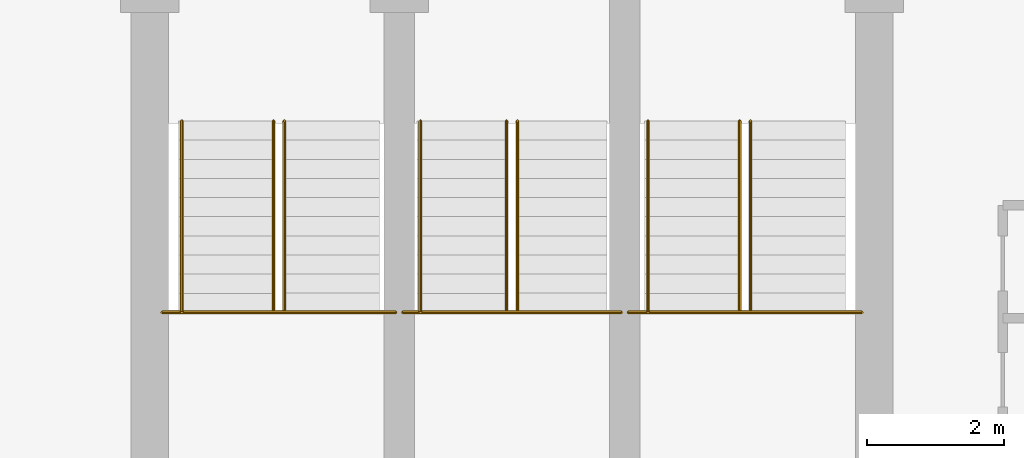
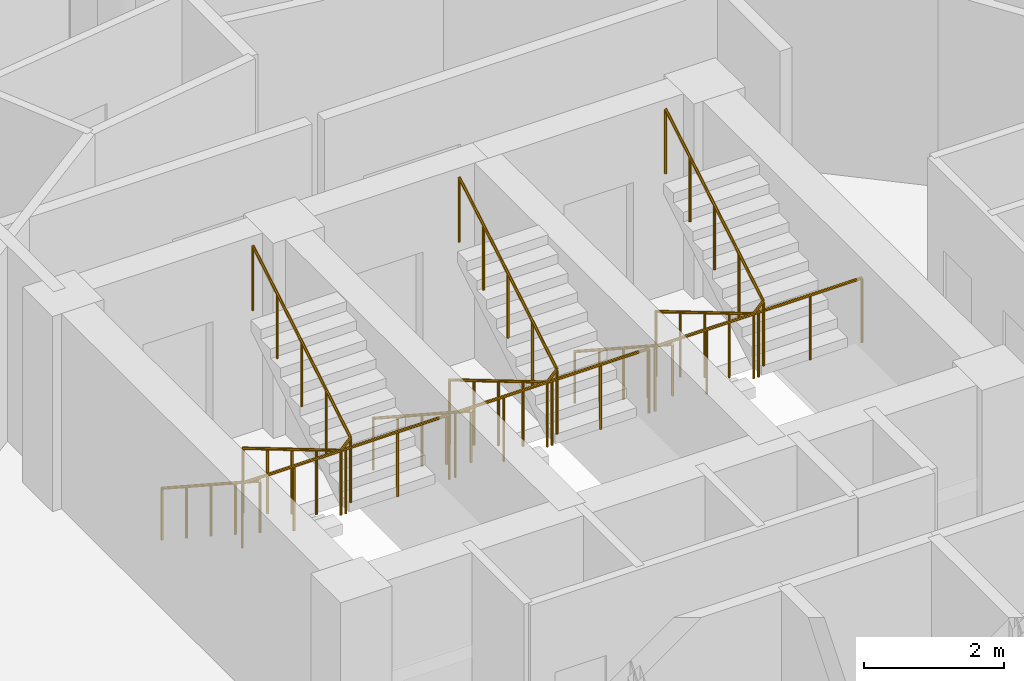
# One storey, part 27 of 27: 9 railings.
"""IFC4 building model written with IfcOpenShell, lengths in metres."""

from ifc_helpers import new_model, si_unit, direction, frame, origin, place, context, subcontext, project, spatial, polyline, outline, extrude, material, type_object, element, save


model = new_model("IFC4")

# Units and contexts
model_context = context("Model", 3, precision=1e-05, world=origin(), true_north=direction((0.0, 1.0)))
body_context = subcontext(model_context, "Body", "Model", "MODEL_VIEW")
ifc_project = project(units=[si_unit("LENGTHUNIT", "METRE"), si_unit("AREAUNIT", "SQUARE_METRE"), si_unit("VOLUMEUNIT", "CUBIC_METRE"), si_unit("PLANEANGLEUNIT", "RADIAN"), si_unit("MASSUNIT", "GRAM", prefix="KILO")], contexts=[model_context])

# Site, building, storey
site_placement = place(None, origin())
site = spatial("IfcSite", under=ifc_project, at=site_placement, CompositionType="ELEMENT")
building_placement = place(site_placement, origin())
building = spatial("IfcBuilding", under=site, at=building_placement, Name="Nuhasar Tower", CompositionType="ELEMENT")
storey_placement = place(building_placement, frame((0.0, 0.0, 237.35009765625)))
storey = spatial("IfcBuildingStorey", under=building, at=storey_placement, Name="L58", CompositionType="ELEMENT", Elevation=237.35009765625)

# Railings
ifc_material_1 = material(Name="Steel S355", Category="steel")
railing_type_1 = type_object("IfcRailingType", Name="RLG-STAIR-GUARD-1150", PredefinedType="GUARDRAIL", material=ifc_material_1)
railing_1_placement = place(storey_placement, frame((33.8798828125, 32.485107421875, 1.824951171875)))
element("IfcRailing", 1, at=railing_1_placement, inside=storey, type_object=railing_type_1, Name="L58 Stair ST-01 Guardrail LND", PredefinedType="GUARDRAIL", context=body_context, shape_type="SweptSolid", body=[
    extrude(outline(polyline([(0.024169921875, 0.0), (0.01708984375, 0.01708984375), (0.0, 0.024169921875), (-0.01708984375, 0.01708984375), (-0.024169921875, 0.0), (-0.01708984375, -0.01708984375), (0.0, -0.024169921875), (0.01708984375, -0.01708984375), (0.024169921875, 0.0)])), frame((0.0, 0.0, 1.1259765625), z_axis=(1.0, 0.0, 0.0), x_axis=(0.0, 1.0, 0.0)), (0.0, 0.0, 1.0), 3.420166015625),
    extrude(outline(polyline([(0.02099609375, 0.0), (0.014892578125, 0.014892578125), (0.0, 0.02099609375), (-0.014892578125, 0.014892578125), (-0.02099609375, 0.0), (-0.014892578125, -0.014892578125), (0.0, -0.02099609375), (0.014892578125, -0.014892578125), (0.02099609375, 0.0)])), origin(), (0.0, 0.0, 1.0), 1.101806640625),
    extrude(outline(polyline([(0.02099609375, 0.0), (0.014892578125, 0.014892578125), (0.0, 0.02099609375), (-0.014892578125, 0.014892578125), (-0.02099609375, 0.0), (-0.014892578125, -0.014892578125), (0.0, -0.02099609375), (0.014892578125, -0.014892578125), (0.02099609375, 0.0)])), frame((0.85498046875, 0.0, 0.0)), (0.0, 0.0, 1.0), 1.101806640625),
    extrude(outline(polyline([(0.02099609375, 0.0), (0.014892578125, 0.014892578125), (0.0, 0.02099609375), (-0.014892578125, 0.014892578125), (-0.02099609375, 0.0), (-0.014892578125, -0.014892578125), (0.0, -0.02099609375), (0.014892578125, -0.014892578125), (0.02099609375, 0.0)])), frame((1.7099609375, 0.0, 0.0)), (0.0, 0.0, 1.0), 1.101806640625),
    extrude(outline(polyline([(0.02099609375, 0.0), (0.014892578125, 0.014892578125), (0.0, 0.02099609375), (-0.014892578125, 0.014892578125), (-0.02099609375, 0.0), (-0.014892578125, -0.014892578125), (0.0, -0.02099609375), (0.014892578125, -0.014892578125), (0.02099609375, 0.0)])), frame((2.565185546875, 0.0, 0.0)), (0.0, 0.0, 1.0), 1.101806640625),
    extrude(outline(polyline([(0.02099609375, 0.0), (0.014892578125, 0.014892578125), (0.0, 0.02099609375), (-0.014892578125, 0.014892578125), (-0.02099609375, 0.0), (-0.014892578125, -0.014892578125), (0.0, -0.02099609375), (0.014892578125, -0.014892578125), (0.02099609375, 0.0)])), frame((3.420166015625, 0.0, 0.0)), (0.0, 0.0, 1.0), 1.101806640625),
])
railing_2_placement = place(storey_placement, frame((35.510009765625, 35.284912109375, 0.166015625)))
element("IfcRailing", 2, at=railing_2_placement, inside=storey, type_object=railing_type_1, Name="L58 Stair ST-01 Guardrail SLT", PredefinedType="GUARDRAIL", context=body_context, shape_type="SweptSolid", body=[
    extrude(outline(polyline([(0.024169921875, 0.0), (0.01708984375, 0.01708984375), (0.0, 0.024169921875), (-0.01708984375, 0.01708984375), (-0.024169921875, 0.0), (-0.01708984375, -0.01708984375), (0.0, -0.024169921875), (0.01708984375, -0.01708984375), (0.024169921875, 0.0)])), frame((0.0, 0.0, 1.1259765625), z_axis=(0.0, -0.860319559791, 0.509755093197), x_axis=(1.0, 0.0, 0.0)), (0.0, 0.0, 1.0), 3.25439453125),
    extrude(outline(polyline([(0.024169921875, 0.0), (0.01708984375, 0.01708984375), (0.0, 0.024169921875), (-0.01708984375, 0.01708984375), (-0.024169921875, 0.0), (-0.01708984375, -0.01708984375), (0.0, -0.024169921875), (0.01708984375, -0.01708984375), (0.024169921875, 0.0)])), frame((0.0, -2.7998046875, 2.78466796875), z_axis=(0.693743449033, 0.0, 0.72022220663), x_axis=(0.0, 1.0, 0.0)), (0.0, 0.0, 1.0), 0.23046875),
    extrude(outline(polyline([(0.024169921875, 0.0), (0.01708984375, 0.01708984375), (0.0, 0.024169921875), (-0.01708984375, 0.01708984375), (-0.024169921875, 0.0), (-0.01708984375, -0.01708984375), (0.0, -0.024169921875), (0.01708984375, -0.01708984375), (0.024169921875, 0.0)])), frame((0.159912109375, -2.7998046875, 2.95068359375), z_axis=(0.0, 0.860319559791, 0.509755093197), x_axis=(-1.0, 0.0, 0.0)), (0.0, 0.0, 1.0), 3.25439453125),
    extrude(outline(polyline([(0.02099609375, 0.0), (0.014892578125, 0.014892578125), (0.0, 0.02099609375), (-0.014892578125, 0.014892578125), (-0.02099609375, 0.0), (-0.014892578125, -0.014892578125), (0.0, -0.02099609375), (0.014892578125, -0.014892578125), (0.02099609375, 0.0)])), origin(), (0.0, 0.0, 1.0), 1.101806640625),
    extrude(outline(polyline([(0.02099609375, 0.0), (0.014892578125, 0.014892578125), (0.0, 0.02099609375), (-0.014892578125, 0.014892578125), (-0.02099609375, 0.0), (-0.014892578125, -0.014892578125), (0.0, -0.02099609375), (0.014892578125, -0.014892578125), (0.02099609375, 0.0)])), frame((0.0, -0.699951171875, 0.414794921875)), (0.0, 0.0, 1.0), 1.101806640625),
    extrude(outline(polyline([(0.02099609375, 0.0), (0.014892578125, 0.014892578125), (0.0, 0.02099609375), (-0.014892578125, 0.014892578125), (-0.02099609375, 0.0), (-0.014892578125, -0.014892578125), (0.0, -0.02099609375), (0.014892578125, -0.014892578125), (0.02099609375, 0.0)])), frame((0.0, -1.39990234375, 0.82958984375)), (0.0, 0.0, 1.0), 1.101806640625),
    extrude(outline(polyline([(0.02099609375, 0.0), (0.014892578125, 0.014892578125), (0.0, 0.02099609375), (-0.014892578125, 0.014892578125), (-0.02099609375, 0.0), (-0.014892578125, -0.014892578125), (0.0, -0.02099609375), (0.014892578125, -0.014892578125), (0.02099609375, 0.0)])), frame((0.0, -2.099853515625, 1.244140625)), (0.0, 0.0, 1.0), 1.101806640625),
    extrude(outline(polyline([(0.02099609375, 0.0), (0.014892578125, 0.014892578125), (0.0, 0.02099609375), (-0.014892578125, 0.014892578125), (-0.02099609375, 0.0), (-0.014892578125, -0.014892578125), (0.0, -0.02099609375), (0.014892578125, -0.014892578125), (0.02099609375, 0.0)])), frame((0.0, -2.7998046875, 1.658935546875)), (0.0, 0.0, 1.0), 1.101806640625),
    extrude(outline(polyline([(0.02099609375, 0.0), (0.014892578125, 0.014892578125), (0.0, 0.02099609375), (-0.014892578125, 0.014892578125), (-0.02099609375, 0.0), (-0.014892578125, -0.014892578125), (0.0, -0.02099609375), (0.014892578125, -0.014892578125), (0.02099609375, 0.0)])), frame((0.159912109375, -2.7998046875, 1.824951171875)), (0.0, 0.0, 1.0), 1.101806640625),
    extrude(outline(polyline([(0.02099609375, 0.0), (0.014892578125, 0.014892578125), (0.0, 0.02099609375), (-0.014892578125, 0.014892578125), (-0.02099609375, 0.0), (-0.014892578125, -0.014892578125), (0.0, -0.02099609375), (0.014892578125, -0.014892578125), (0.02099609375, 0.0)])), frame((0.159912109375, -2.099853515625, 2.23974609375)), (0.0, 0.0, 1.0), 1.101806640625),
    extrude(outline(polyline([(0.02099609375, 0.0), (0.014892578125, 0.014892578125), (0.0, 0.02099609375), (-0.014892578125, 0.014892578125), (-0.02099609375, 0.0), (-0.014892578125, -0.014892578125), (0.0, -0.02099609375), (0.014892578125, -0.014892578125), (0.02099609375, 0.0)])), frame((0.159912109375, -1.39990234375, 2.654296875)), (0.0, 0.0, 1.0), 1.101806640625),
    extrude(outline(polyline([(0.02099609375, 0.0), (0.014892578125, 0.014892578125), (0.0, 0.02099609375), (-0.014892578125, 0.014892578125), (-0.02099609375, 0.0), (-0.014892578125, -0.014892578125), (0.0, -0.02099609375), (0.014892578125, -0.014892578125), (0.02099609375, 0.0)])), frame((0.159912109375, -0.699951171875, 3.069091796875)), (0.0, 0.0, 1.0), 1.101806640625),
    extrude(outline(polyline([(0.02099609375, 0.0), (0.014892578125, 0.014892578125), (0.0, 0.02099609375), (-0.014892578125, 0.014892578125), (-0.02099609375, 0.0), (-0.014892578125, -0.014892578125), (0.0, -0.02099609375), (0.014892578125, -0.014892578125), (0.02099609375, 0.0)])), frame((0.159912109375, 0.0, 3.48388671875)), (0.0, 0.0, 1.0), 1.101806640625),
])
railing_3_placement = place(storey_placement, frame((37.39990234375, 32.485107421875, 1.824951171875)))
element("IfcRailing", 3, at=railing_3_placement, inside=storey, type_object=railing_type_1, Name="L58 Stair ST-03 Guardrail LND", PredefinedType="GUARDRAIL", context=body_context, shape_type="SweptSolid", body=[
    extrude(outline(polyline([(0.024169921875, 0.0), (0.01708984375, 0.01708984375), (0.0, 0.024169921875), (-0.01708984375, 0.01708984375), (-0.024169921875, 0.0), (-0.01708984375, -0.01708984375), (0.0, -0.024169921875), (0.01708984375, -0.01708984375), (0.024169921875, 0.0)])), frame((0.0, 0.0, 1.1259765625), z_axis=(1.0, 0.0, 0.0), x_axis=(0.0, 1.0, 0.0)), (0.0, 0.0, 1.0), 3.2001953125),
    extrude(outline(polyline([(0.02099609375, 0.0), (0.014892578125, 0.014892578125), (0.0, 0.02099609375), (-0.014892578125, 0.014892578125), (-0.02099609375, 0.0), (-0.014892578125, -0.014892578125), (0.0, -0.02099609375), (0.014892578125, -0.014892578125), (0.02099609375, 0.0)])), origin(), (0.0, 0.0, 1.0), 1.101806640625),
    extrude(outline(polyline([(0.02099609375, 0.0), (0.014892578125, 0.014892578125), (0.0, 0.02099609375), (-0.014892578125, 0.014892578125), (-0.02099609375, 0.0), (-0.014892578125, -0.014892578125), (0.0, -0.02099609375), (0.014892578125, -0.014892578125), (0.02099609375, 0.0)])), frame((0.800048828125, 0.0, 0.0)), (0.0, 0.0, 1.0), 1.101806640625),
    extrude(outline(polyline([(0.02099609375, 0.0), (0.014892578125, 0.014892578125), (0.0, 0.02099609375), (-0.014892578125, 0.014892578125), (-0.02099609375, 0.0), (-0.014892578125, -0.014892578125), (0.0, -0.02099609375), (0.014892578125, -0.014892578125), (0.02099609375, 0.0)])), frame((1.60009765625, 0.0, 0.0)), (0.0, 0.0, 1.0), 1.101806640625),
    extrude(outline(polyline([(0.02099609375, 0.0), (0.014892578125, 0.014892578125), (0.0, 0.02099609375), (-0.014892578125, 0.014892578125), (-0.02099609375, 0.0), (-0.014892578125, -0.014892578125), (0.0, -0.02099609375), (0.014892578125, -0.014892578125), (0.02099609375, 0.0)])), frame((2.400146484375, 0.0, 0.0)), (0.0, 0.0, 1.0), 1.101806640625),
    extrude(outline(polyline([(0.02099609375, 0.0), (0.014892578125, 0.014892578125), (0.0, 0.02099609375), (-0.014892578125, 0.014892578125), (-0.02099609375, 0.0), (-0.014892578125, -0.014892578125), (0.0, -0.02099609375), (0.014892578125, -0.014892578125), (0.02099609375, 0.0)])), frame((3.2001953125, 0.0, 0.0)), (0.0, 0.0, 1.0), 1.101806640625),
])
railing_4_placement = place(storey_placement, frame((38.919921875, 35.284912109375, 0.166015625)))
element("IfcRailing", 4, at=railing_4_placement, inside=storey, type_object=railing_type_1, Name="L58 Stair ST-03 Guardrail SLT", PredefinedType="GUARDRAIL", context=body_context, shape_type="SweptSolid", body=[
    extrude(outline(polyline([(0.024169921875, 0.0), (0.01708984375, 0.01708984375), (0.0, 0.024169921875), (-0.01708984375, 0.01708984375), (-0.024169921875, 0.0), (-0.01708984375, -0.01708984375), (0.0, -0.024169921875), (0.01708984375, -0.01708984375), (0.024169921875, 0.0)])), frame((0.0, 0.0, 1.1259765625), z_axis=(0.0, -0.860319559791, 0.509755093197), x_axis=(1.0, 0.0, 0.0)), (0.0, 0.0, 1.0), 3.25439453125),
    extrude(outline(polyline([(0.024169921875, 0.0), (0.01708984375, 0.01708984375), (0.0, 0.024169921875), (-0.01708984375, 0.01708984375), (-0.024169921875, 0.0), (-0.01708984375, -0.01708984375), (0.0, -0.024169921875), (0.01708984375, -0.01708984375), (0.024169921875, 0.0)])), frame((0.0, -2.7998046875, 2.78466796875), z_axis=(0.694292246407, 0.0, 0.719693182251), x_axis=(0.0, 1.0, 0.0)), (0.0, 0.0, 1.0), 0.230712890625),
    extrude(outline(polyline([(0.024169921875, 0.0), (0.01708984375, 0.01708984375), (0.0, 0.024169921875), (-0.01708984375, 0.01708984375), (-0.024169921875, 0.0), (-0.01708984375, -0.01708984375), (0.0, -0.024169921875), (0.01708984375, -0.01708984375), (0.024169921875, 0.0)])), frame((0.16015625, -2.7998046875, 2.95068359375), z_axis=(0.0, 0.860319559791, 0.509755093197), x_axis=(-1.0, 0.0, 0.0)), (0.0, 0.0, 1.0), 3.25439453125),
    extrude(outline(polyline([(0.02099609375, 0.0), (0.014892578125, 0.014892578125), (0.0, 0.02099609375), (-0.014892578125, 0.014892578125), (-0.02099609375, 0.0), (-0.014892578125, -0.014892578125), (0.0, -0.02099609375), (0.014892578125, -0.014892578125), (0.02099609375, 0.0)])), origin(), (0.0, 0.0, 1.0), 1.101806640625),
    extrude(outline(polyline([(0.02099609375, 0.0), (0.014892578125, 0.014892578125), (0.0, 0.02099609375), (-0.014892578125, 0.014892578125), (-0.02099609375, 0.0), (-0.014892578125, -0.014892578125), (0.0, -0.02099609375), (0.014892578125, -0.014892578125), (0.02099609375, 0.0)])), frame((0.0, -0.699951171875, 0.414794921875)), (0.0, 0.0, 1.0), 1.101806640625),
    extrude(outline(polyline([(0.02099609375, 0.0), (0.014892578125, 0.014892578125), (0.0, 0.02099609375), (-0.014892578125, 0.014892578125), (-0.02099609375, 0.0), (-0.014892578125, -0.014892578125), (0.0, -0.02099609375), (0.014892578125, -0.014892578125), (0.02099609375, 0.0)])), frame((0.0, -1.39990234375, 0.82958984375)), (0.0, 0.0, 1.0), 1.101806640625),
    extrude(outline(polyline([(0.02099609375, 0.0), (0.014892578125, 0.014892578125), (0.0, 0.02099609375), (-0.014892578125, 0.014892578125), (-0.02099609375, 0.0), (-0.014892578125, -0.014892578125), (0.0, -0.02099609375), (0.014892578125, -0.014892578125), (0.02099609375, 0.0)])), frame((0.0, -2.099853515625, 1.244140625)), (0.0, 0.0, 1.0), 1.101806640625),
    extrude(outline(polyline([(0.02099609375, 0.0), (0.014892578125, 0.014892578125), (0.0, 0.02099609375), (-0.014892578125, 0.014892578125), (-0.02099609375, 0.0), (-0.014892578125, -0.014892578125), (0.0, -0.02099609375), (0.014892578125, -0.014892578125), (0.02099609375, 0.0)])), frame((0.0, -2.7998046875, 1.658935546875)), (0.0, 0.0, 1.0), 1.101806640625),
    extrude(outline(polyline([(0.02099609375, 0.0), (0.014892578125, 0.014892578125), (0.0, 0.02099609375), (-0.014892578125, 0.014892578125), (-0.02099609375, 0.0), (-0.014892578125, -0.014892578125), (0.0, -0.02099609375), (0.014892578125, -0.014892578125), (0.02099609375, 0.0)])), frame((0.16015625, -2.7998046875, 1.824951171875)), (0.0, 0.0, 1.0), 1.101806640625),
    extrude(outline(polyline([(0.02099609375, 0.0), (0.014892578125, 0.014892578125), (0.0, 0.02099609375), (-0.014892578125, 0.014892578125), (-0.02099609375, 0.0), (-0.014892578125, -0.014892578125), (0.0, -0.02099609375), (0.014892578125, -0.014892578125), (0.02099609375, 0.0)])), frame((0.16015625, -2.099853515625, 2.23974609375)), (0.0, 0.0, 1.0), 1.101806640625),
    extrude(outline(polyline([(0.02099609375, 0.0), (0.014892578125, 0.014892578125), (0.0, 0.02099609375), (-0.014892578125, 0.014892578125), (-0.02099609375, 0.0), (-0.014892578125, -0.014892578125), (0.0, -0.02099609375), (0.014892578125, -0.014892578125), (0.02099609375, 0.0)])), frame((0.16015625, -1.39990234375, 2.654296875)), (0.0, 0.0, 1.0), 1.101806640625),
    extrude(outline(polyline([(0.02099609375, 0.0), (0.014892578125, 0.014892578125), (0.0, 0.02099609375), (-0.014892578125, 0.014892578125), (-0.02099609375, 0.0), (-0.014892578125, -0.014892578125), (0.0, -0.02099609375), (0.014892578125, -0.014892578125), (0.02099609375, 0.0)])), frame((0.16015625, -0.699951171875, 3.069091796875)), (0.0, 0.0, 1.0), 1.101806640625),
    extrude(outline(polyline([(0.02099609375, 0.0), (0.014892578125, 0.014892578125), (0.0, 0.02099609375), (-0.014892578125, 0.014892578125), (-0.02099609375, 0.0), (-0.014892578125, -0.014892578125), (0.0, -0.02099609375), (0.014892578125, -0.014892578125), (0.02099609375, 0.0)])), frame((0.16015625, 0.0, 3.48388671875)), (0.0, 0.0, 1.0), 1.101806640625),
])
railing_5_placement = place(storey_placement, frame((40.699951171875, 32.485107421875, 1.824951171875)))
element("IfcRailing", 5, at=railing_5_placement, inside=storey, type_object=railing_type_1, Name="L58 Stair ST-02 Guardrail LND", PredefinedType="GUARDRAIL", context=body_context, shape_type="SweptSolid", body=[
    extrude(outline(polyline([(0.024169921875, 0.0), (0.01708984375, 0.01708984375), (0.0, 0.024169921875), (-0.01708984375, 0.01708984375), (-0.024169921875, 0.0), (-0.01708984375, -0.01708984375), (0.0, -0.024169921875), (0.01708984375, -0.01708984375), (0.024169921875, 0.0)])), frame((0.0, 0.0, 1.1259765625), z_axis=(1.0, 0.0, 0.0), x_axis=(0.0, 1.0, 0.0)), (0.0, 0.0, 1.0), 3.420166015625),
    extrude(outline(polyline([(0.02099609375, 0.0), (0.014892578125, 0.014892578125), (0.0, 0.02099609375), (-0.014892578125, 0.014892578125), (-0.02099609375, 0.0), (-0.014892578125, -0.014892578125), (0.0, -0.02099609375), (0.014892578125, -0.014892578125), (0.02099609375, 0.0)])), origin(), (0.0, 0.0, 1.0), 1.101806640625),
    extrude(outline(polyline([(0.02099609375, 0.0), (0.014892578125, 0.014892578125), (0.0, 0.02099609375), (-0.014892578125, 0.014892578125), (-0.02099609375, 0.0), (-0.014892578125, -0.014892578125), (0.0, -0.02099609375), (0.014892578125, -0.014892578125), (0.02099609375, 0.0)])), frame((0.85498046875, 0.0, 0.0)), (0.0, 0.0, 1.0), 1.101806640625),
    extrude(outline(polyline([(0.02099609375, 0.0), (0.014892578125, 0.014892578125), (0.0, 0.02099609375), (-0.014892578125, 0.014892578125), (-0.02099609375, 0.0), (-0.014892578125, -0.014892578125), (0.0, -0.02099609375), (0.014892578125, -0.014892578125), (0.02099609375, 0.0)])), frame((1.7099609375, 0.0, 0.0)), (0.0, 0.0, 1.0), 1.101806640625),
    extrude(outline(polyline([(0.02099609375, 0.0), (0.014892578125, 0.014892578125), (0.0, 0.02099609375), (-0.014892578125, 0.014892578125), (-0.02099609375, 0.0), (-0.014892578125, -0.014892578125), (0.0, -0.02099609375), (0.014892578125, -0.014892578125), (0.02099609375, 0.0)])), frame((2.565185546875, 0.0, 0.0)), (0.0, 0.0, 1.0), 1.101806640625),
    extrude(outline(polyline([(0.02099609375, 0.0), (0.014892578125, 0.014892578125), (0.0, 0.02099609375), (-0.014892578125, 0.014892578125), (-0.02099609375, 0.0), (-0.014892578125, -0.014892578125), (0.0, -0.02099609375), (0.014892578125, -0.014892578125), (0.02099609375, 0.0)])), frame((3.420166015625, 0.0, 0.0)), (0.0, 0.0, 1.0), 1.101806640625),
])
railing_6_placement = place(storey_placement, frame((42.330078125, 35.284912109375, 0.166015625)))
element("IfcRailing", 6, at=railing_6_placement, inside=storey, type_object=railing_type_1, Name="L58 Stair ST-02 Guardrail SLT", PredefinedType="GUARDRAIL", context=body_context, shape_type="SweptSolid", body=[
    extrude(outline(polyline([(0.024169921875, 0.0), (0.01708984375, 0.01708984375), (0.0, 0.024169921875), (-0.01708984375, 0.01708984375), (-0.024169921875, 0.0), (-0.01708984375, -0.01708984375), (0.0, -0.024169921875), (0.01708984375, -0.01708984375), (0.024169921875, 0.0)])), frame((0.0, 0.0, 1.1259765625), z_axis=(0.0, -0.860319559791, 0.509755093197), x_axis=(1.0, 0.0, 0.0)), (0.0, 0.0, 1.0), 3.25439453125),
    extrude(outline(polyline([(0.024169921875, 0.0), (0.01708984375, 0.01708984375), (0.0, 0.024169921875), (-0.01708984375, 0.01708984375), (-0.024169921875, 0.0), (-0.01708984375, -0.01708984375), (0.0, -0.024169921875), (0.01708984375, -0.01708984375), (0.024169921875, 0.0)])), frame((0.0, -2.7998046875, 2.78466796875), z_axis=(0.693743449033, 0.0, 0.72022220663), x_axis=(0.0, 1.0, 0.0)), (0.0, 0.0, 1.0), 0.23046875),
    extrude(outline(polyline([(0.024169921875, 0.0), (0.01708984375, 0.01708984375), (0.0, 0.024169921875), (-0.01708984375, 0.01708984375), (-0.024169921875, 0.0), (-0.01708984375, -0.01708984375), (0.0, -0.024169921875), (0.01708984375, -0.01708984375), (0.024169921875, 0.0)])), frame((0.159912109375, -2.7998046875, 2.95068359375), z_axis=(0.0, 0.860319559791, 0.509755093197), x_axis=(-1.0, 0.0, 0.0)), (0.0, 0.0, 1.0), 3.25439453125),
    extrude(outline(polyline([(0.02099609375, 0.0), (0.014892578125, 0.014892578125), (0.0, 0.02099609375), (-0.014892578125, 0.014892578125), (-0.02099609375, 0.0), (-0.014892578125, -0.014892578125), (0.0, -0.02099609375), (0.014892578125, -0.014892578125), (0.02099609375, 0.0)])), origin(), (0.0, 0.0, 1.0), 1.101806640625),
    extrude(outline(polyline([(0.02099609375, 0.0), (0.014892578125, 0.014892578125), (0.0, 0.02099609375), (-0.014892578125, 0.014892578125), (-0.02099609375, 0.0), (-0.014892578125, -0.014892578125), (0.0, -0.02099609375), (0.014892578125, -0.014892578125), (0.02099609375, 0.0)])), frame((0.0, -0.699951171875, 0.414794921875)), (0.0, 0.0, 1.0), 1.101806640625),
    extrude(outline(polyline([(0.02099609375, 0.0), (0.014892578125, 0.014892578125), (0.0, 0.02099609375), (-0.014892578125, 0.014892578125), (-0.02099609375, 0.0), (-0.014892578125, -0.014892578125), (0.0, -0.02099609375), (0.014892578125, -0.014892578125), (0.02099609375, 0.0)])), frame((0.0, -1.39990234375, 0.82958984375)), (0.0, 0.0, 1.0), 1.101806640625),
    extrude(outline(polyline([(0.02099609375, 0.0), (0.014892578125, 0.014892578125), (0.0, 0.02099609375), (-0.014892578125, 0.014892578125), (-0.02099609375, 0.0), (-0.014892578125, -0.014892578125), (0.0, -0.02099609375), (0.014892578125, -0.014892578125), (0.02099609375, 0.0)])), frame((0.0, -2.099853515625, 1.244140625)), (0.0, 0.0, 1.0), 1.101806640625),
    extrude(outline(polyline([(0.02099609375, 0.0), (0.014892578125, 0.014892578125), (0.0, 0.02099609375), (-0.014892578125, 0.014892578125), (-0.02099609375, 0.0), (-0.014892578125, -0.014892578125), (0.0, -0.02099609375), (0.014892578125, -0.014892578125), (0.02099609375, 0.0)])), frame((0.0, -2.7998046875, 1.658935546875)), (0.0, 0.0, 1.0), 1.101806640625),
    extrude(outline(polyline([(0.02099609375, 0.0), (0.014892578125, 0.014892578125), (0.0, 0.02099609375), (-0.014892578125, 0.014892578125), (-0.02099609375, 0.0), (-0.014892578125, -0.014892578125), (0.0, -0.02099609375), (0.014892578125, -0.014892578125), (0.02099609375, 0.0)])), frame((0.159912109375, -2.7998046875, 1.824951171875)), (0.0, 0.0, 1.0), 1.101806640625),
    extrude(outline(polyline([(0.02099609375, 0.0), (0.014892578125, 0.014892578125), (0.0, 0.02099609375), (-0.014892578125, 0.014892578125), (-0.02099609375, 0.0), (-0.014892578125, -0.014892578125), (0.0, -0.02099609375), (0.014892578125, -0.014892578125), (0.02099609375, 0.0)])), frame((0.159912109375, -2.099853515625, 2.23974609375)), (0.0, 0.0, 1.0), 1.101806640625),
    extrude(outline(polyline([(0.02099609375, 0.0), (0.014892578125, 0.014892578125), (0.0, 0.02099609375), (-0.014892578125, 0.014892578125), (-0.02099609375, 0.0), (-0.014892578125, -0.014892578125), (0.0, -0.02099609375), (0.014892578125, -0.014892578125), (0.02099609375, 0.0)])), frame((0.159912109375, -1.39990234375, 2.654296875)), (0.0, 0.0, 1.0), 1.101806640625),
    extrude(outline(polyline([(0.02099609375, 0.0), (0.014892578125, 0.014892578125), (0.0, 0.02099609375), (-0.014892578125, 0.014892578125), (-0.02099609375, 0.0), (-0.014892578125, -0.014892578125), (0.0, -0.02099609375), (0.014892578125, -0.014892578125), (0.02099609375, 0.0)])), frame((0.159912109375, -0.699951171875, 3.069091796875)), (0.0, 0.0, 1.0), 1.101806640625),
    extrude(outline(polyline([(0.02099609375, 0.0), (0.014892578125, 0.014892578125), (0.0, 0.02099609375), (-0.014892578125, 0.014892578125), (-0.02099609375, 0.0), (-0.014892578125, -0.014892578125), (0.0, -0.02099609375), (0.014892578125, -0.014892578125), (0.02099609375, 0.0)])), frame((0.159912109375, 0.0, 3.48388671875)), (0.0, 0.0, 1.0), 1.101806640625),
])
ifc_material_2 = material(Name="Stainless Steel 316L", Category="steel")
railing_type_2 = type_object("IfcRailingType", Name="RLG-STAIR-HAND-920", PredefinedType="HANDRAIL", material=ifc_material_2)
railing_7_placement = place(storey_placement, frame((34.169921875, 35.284912109375, 0.166015625)))
element("IfcRailing", 7, at=railing_7_placement, inside=storey, type_object=railing_type_2, Name="L58 Stair ST-01 Handrail HND1", PredefinedType="HANDRAIL", context=body_context, shape_type="SweptSolid", body=[
    extrude(outline(polyline([(0.024169921875, 0.0), (0.01708984375, 0.01708984375), (0.0, 0.024169921875), (-0.01708984375, 0.01708984375), (-0.024169921875, 0.0), (-0.01708984375, -0.01708984375), (0.0, -0.024169921875), (0.01708984375, -0.01708984375), (0.024169921875, 0.0)])), frame((0.0, 0.0, 0.89599609375), z_axis=(0.0, -0.837748630625, 0.546056070276), x_axis=(1.0, 0.0, 0.0)), (0.0, 0.0, 1.0), 3.342041015625),
    extrude(outline(polyline([(0.02099609375, 0.0), (0.014892578125, 0.014892578125), (0.0, 0.02099609375), (-0.014892578125, 0.014892578125), (-0.02099609375, 0.0), (-0.014892578125, -0.014892578125), (0.0, -0.02099609375), (0.014892578125, -0.014892578125), (0.02099609375, 0.0)])), origin(), (0.0, 0.0, 1.0), 0.871826171875),
    extrude(outline(polyline([(0.02099609375, 0.0), (0.014892578125, 0.014892578125), (0.0, 0.02099609375), (-0.014892578125, 0.014892578125), (-0.02099609375, 0.0), (-0.014892578125, -0.014892578125), (0.0, -0.02099609375), (0.014892578125, -0.014892578125), (0.02099609375, 0.0)])), frame((0.0, -0.699951171875, 0.456298828125)), (0.0, 0.0, 1.0), 0.871826171875),
    extrude(outline(polyline([(0.02099609375, 0.0), (0.014892578125, 0.014892578125), (0.0, 0.02099609375), (-0.014892578125, 0.014892578125), (-0.02099609375, 0.0), (-0.014892578125, -0.014892578125), (0.0, -0.02099609375), (0.014892578125, -0.014892578125), (0.02099609375, 0.0)])), frame((0.0, -1.39990234375, 0.91259765625)), (0.0, 0.0, 1.0), 0.871826171875),
    extrude(outline(polyline([(0.02099609375, 0.0), (0.014892578125, 0.014892578125), (0.0, 0.02099609375), (-0.014892578125, 0.014892578125), (-0.02099609375, 0.0), (-0.014892578125, -0.014892578125), (0.0, -0.02099609375), (0.014892578125, -0.014892578125), (0.02099609375, 0.0)])), frame((0.0, -2.099853515625, 1.36865234375)), (0.0, 0.0, 1.0), 0.871826171875),
    extrude(outline(polyline([(0.02099609375, 0.0), (0.014892578125, 0.014892578125), (0.0, 0.02099609375), (-0.014892578125, 0.014892578125), (-0.02099609375, 0.0), (-0.014892578125, -0.014892578125), (0.0, -0.02099609375), (0.014892578125, -0.014892578125), (0.02099609375, 0.0)])), frame((0.0, -2.7998046875, 1.824951171875)), (0.0, 0.0, 1.0), 0.871826171875),
])
railing_8_placement = place(storey_placement, frame((37.659912109375, 35.284912109375, 0.166015625)))
element("IfcRailing", 8, at=railing_8_placement, inside=storey, type_object=railing_type_2, Name="L58 Stair ST-03 Handrail HND1", PredefinedType="HANDRAIL", context=body_context, shape_type="SweptSolid", body=[
    extrude(outline(polyline([(0.024169921875, 0.0), (0.01708984375, 0.01708984375), (0.0, 0.024169921875), (-0.01708984375, 0.01708984375), (-0.024169921875, 0.0), (-0.01708984375, -0.01708984375), (0.0, -0.024169921875), (0.01708984375, -0.01708984375), (0.024169921875, 0.0)])), frame((0.0, 0.0, 0.89599609375), z_axis=(0.0, -0.837748630625, 0.546056070276), x_axis=(1.0, 0.0, 0.0)), (0.0, 0.0, 1.0), 3.342041015625),
    extrude(outline(polyline([(0.02099609375, 0.0), (0.014892578125, 0.014892578125), (0.0, 0.02099609375), (-0.014892578125, 0.014892578125), (-0.02099609375, 0.0), (-0.014892578125, -0.014892578125), (0.0, -0.02099609375), (0.014892578125, -0.014892578125), (0.02099609375, 0.0)])), origin(), (0.0, 0.0, 1.0), 0.871826171875),
    extrude(outline(polyline([(0.02099609375, 0.0), (0.014892578125, 0.014892578125), (0.0, 0.02099609375), (-0.014892578125, 0.014892578125), (-0.02099609375, 0.0), (-0.014892578125, -0.014892578125), (0.0, -0.02099609375), (0.014892578125, -0.014892578125), (0.02099609375, 0.0)])), frame((0.0, -0.699951171875, 0.456298828125)), (0.0, 0.0, 1.0), 0.871826171875),
    extrude(outline(polyline([(0.02099609375, 0.0), (0.014892578125, 0.014892578125), (0.0, 0.02099609375), (-0.014892578125, 0.014892578125), (-0.02099609375, 0.0), (-0.014892578125, -0.014892578125), (0.0, -0.02099609375), (0.014892578125, -0.014892578125), (0.02099609375, 0.0)])), frame((0.0, -1.39990234375, 0.91259765625)), (0.0, 0.0, 1.0), 0.871826171875),
    extrude(outline(polyline([(0.02099609375, 0.0), (0.014892578125, 0.014892578125), (0.0, 0.02099609375), (-0.014892578125, 0.014892578125), (-0.02099609375, 0.0), (-0.014892578125, -0.014892578125), (0.0, -0.02099609375), (0.014892578125, -0.014892578125), (0.02099609375, 0.0)])), frame((0.0, -2.099853515625, 1.36865234375)), (0.0, 0.0, 1.0), 0.871826171875),
    extrude(outline(polyline([(0.02099609375, 0.0), (0.014892578125, 0.014892578125), (0.0, 0.02099609375), (-0.014892578125, 0.014892578125), (-0.02099609375, 0.0), (-0.014892578125, -0.014892578125), (0.0, -0.02099609375), (0.014892578125, -0.014892578125), (0.02099609375, 0.0)])), frame((0.0, -2.7998046875, 1.824951171875)), (0.0, 0.0, 1.0), 0.871826171875),
])
railing_9_placement = place(storey_placement, frame((40.989990234375, 35.284912109375, 0.166015625)))
element("IfcRailing", 9, at=railing_9_placement, inside=storey, type_object=railing_type_2, Name="L58 Stair ST-02 Handrail HND1", PredefinedType="HANDRAIL", context=body_context, shape_type="SweptSolid", body=[
    extrude(outline(polyline([(0.024169921875, 0.0), (0.01708984375, 0.01708984375), (0.0, 0.024169921875), (-0.01708984375, 0.01708984375), (-0.024169921875, 0.0), (-0.01708984375, -0.01708984375), (0.0, -0.024169921875), (0.01708984375, -0.01708984375), (0.024169921875, 0.0)])), frame((0.0, 0.0, 0.89599609375), z_axis=(0.0, -0.837748630625, 0.546056070276), x_axis=(1.0, 0.0, 0.0)), (0.0, 0.0, 1.0), 3.342041015625),
    extrude(outline(polyline([(0.02099609375, 0.0), (0.014892578125, 0.014892578125), (0.0, 0.02099609375), (-0.014892578125, 0.014892578125), (-0.02099609375, 0.0), (-0.014892578125, -0.014892578125), (0.0, -0.02099609375), (0.014892578125, -0.014892578125), (0.02099609375, 0.0)])), origin(), (0.0, 0.0, 1.0), 0.871826171875),
    extrude(outline(polyline([(0.02099609375, 0.0), (0.014892578125, 0.014892578125), (0.0, 0.02099609375), (-0.014892578125, 0.014892578125), (-0.02099609375, 0.0), (-0.014892578125, -0.014892578125), (0.0, -0.02099609375), (0.014892578125, -0.014892578125), (0.02099609375, 0.0)])), frame((0.0, -0.699951171875, 0.456298828125)), (0.0, 0.0, 1.0), 0.871826171875),
    extrude(outline(polyline([(0.02099609375, 0.0), (0.014892578125, 0.014892578125), (0.0, 0.02099609375), (-0.014892578125, 0.014892578125), (-0.02099609375, 0.0), (-0.014892578125, -0.014892578125), (0.0, -0.02099609375), (0.014892578125, -0.014892578125), (0.02099609375, 0.0)])), frame((0.0, -1.39990234375, 0.91259765625)), (0.0, 0.0, 1.0), 0.871826171875),
    extrude(outline(polyline([(0.02099609375, 0.0), (0.014892578125, 0.014892578125), (0.0, 0.02099609375), (-0.014892578125, 0.014892578125), (-0.02099609375, 0.0), (-0.014892578125, -0.014892578125), (0.0, -0.02099609375), (0.014892578125, -0.014892578125), (0.02099609375, 0.0)])), frame((0.0, -2.099853515625, 1.36865234375)), (0.0, 0.0, 1.0), 0.871826171875),
    extrude(outline(polyline([(0.02099609375, 0.0), (0.014892578125, 0.014892578125), (0.0, 0.02099609375), (-0.014892578125, 0.014892578125), (-0.02099609375, 0.0), (-0.014892578125, -0.014892578125), (0.0, -0.02099609375), (0.014892578125, -0.014892578125), (0.02099609375, 0.0)])), frame((0.0, -2.7998046875, 1.824951171875)), (0.0, 0.0, 1.0), 0.871826171875),
])

save(model, "model.ifc")
